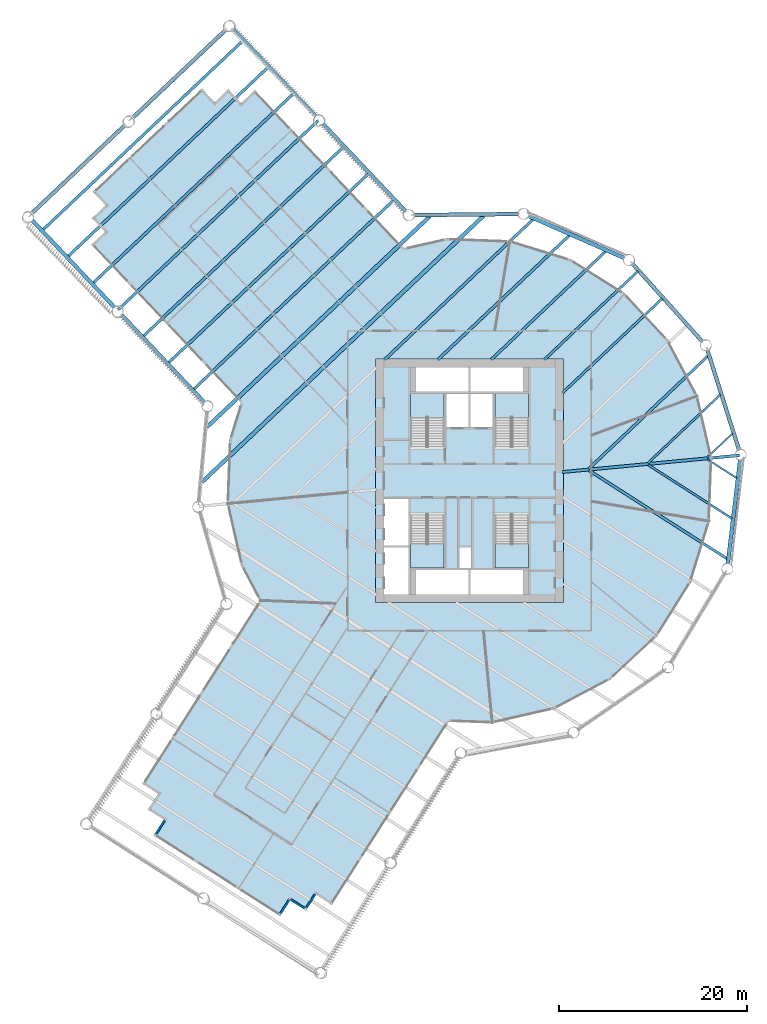
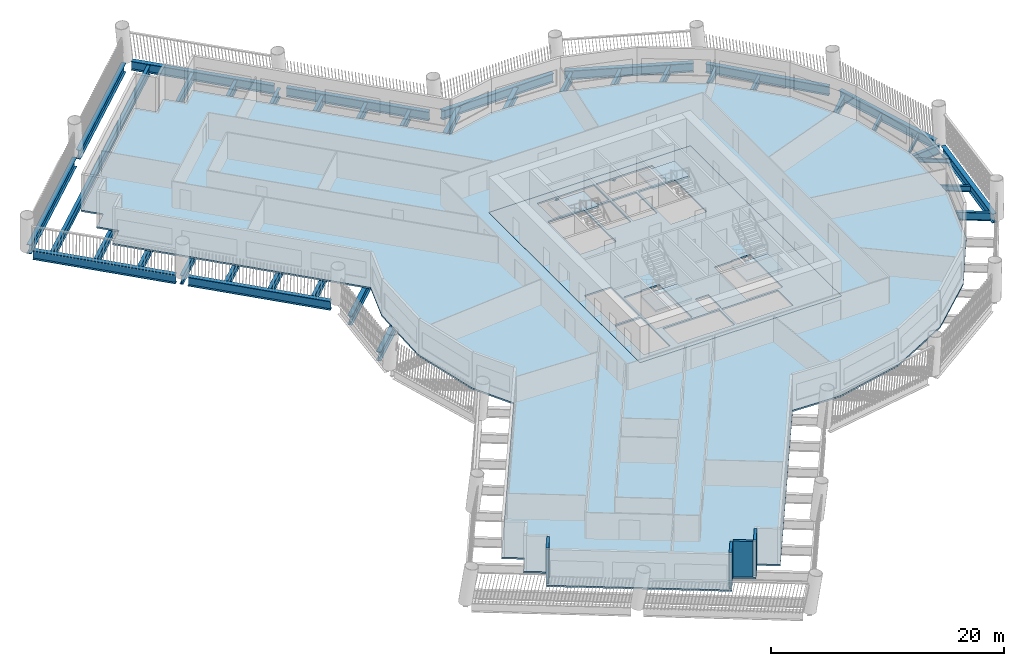
# One storey, part 2 of 15: 32 beams, 6 slabs, 4 walls, 4 elements without a shape of their own.
"""IFC4 building model written with IfcOpenShell, lengths in metres."""

from ifc_helpers import new_model, si_unit, direction, frame, frame_2d, origin, origin_2d, place, context, subcontext, project, spatial, polyline, rectangle, i_section, outline, extrude, material, layer, layer_set, material_profile, profile_set, type_object, element, aggregate, save


model = new_model("IFC4")

# Units and contexts
model_context = context("Model", 3, precision=1e-05, world=origin(), true_north=direction((0.0, 1.0)))
body_context = subcontext(model_context, "Body", "Model", "MODEL_VIEW")
ifc_project = project(units=[si_unit("LENGTHUNIT", "METRE"), si_unit("AREAUNIT", "SQUARE_METRE"), si_unit("VOLUMEUNIT", "CUBIC_METRE"), si_unit("PLANEANGLEUNIT", "RADIAN"), si_unit("MASSUNIT", "GRAM", prefix="KILO")], contexts=[model_context])

# Site, building, storey
site_placement = place(None, origin())
site = spatial("IfcSite", under=ifc_project, at=site_placement, CompositionType="ELEMENT")
building_placement = place(site_placement, origin())
building = spatial("IfcBuilding", under=site, at=building_placement, Name="Tarsis Ring Headquarters", CompositionType="ELEMENT")
storey_placement = place(building_placement, frame((0.0, 0.0, 67.300048828125)))
storey = spatial("IfcBuildingStorey", under=building, at=storey_placement, Name="L14", CompositionType="ELEMENT", Elevation=67.300048828125)

# Beams
ifc_material_1 = material(Name="Structural steel S355", Category="steel")
ifc_material_profile_1 = material_profile(ifc_material_1, i_section(OverallWidth=0.177734375, OverallDepth=0.406494140625, WebThickness=0.0078125, FlangeThickness=0.0126953125, at=origin_2d()), Name="W16x40")
ifc_profile_set_1 = profile_set([ifc_material_profile_1], Name="Structural steel S355")
beam_type_1 = type_object("IfcBeamType", Name="FB Floor beam W16x40", PredefinedType="JOIST", material=ifc_profile_set_1)
beam_1_placement = place(storey_placement, frame((25.35400390625, 2.302734375, -0.36328125), z_axis=(0.842450293429, -0.538774074266, 0.0), x_axis=(0.538774074266, 0.842450293429, 0.0)))
element("IfcBeam", 1, at=beam_1_placement, inside=storey, type_object=beam_type_1, Name="Floor beam FB1", PredefinedType="JOIST", context=body_context, shape_type="SweptSolid", body=[
    extrude(i_section(OverallWidth=0.177734375, OverallDepth=0.406494140625, WebThickness=0.0078125, FlangeThickness=0.0126953125, at=origin_2d()), origin(), (0.0, 0.0, 1.0), 3.74169921875),
])
beam_2_placement = place(storey_placement, frame((28.054931640625, 5.0595703125, -0.36328125), z_axis=(-0.726569656253, -0.687092813681, 0.0), x_axis=(0.687092813681, -0.726569656253, 0.0)))
element("IfcBeam", 2, at=beam_2_placement, inside=storey, type_object=beam_type_1, Name="Floor beam FB1", PredefinedType="JOIST", context=body_context, shape_type="SweptSolid", body=[
    extrude(i_section(OverallWidth=0.177734375, OverallDepth=0.406494140625, WebThickness=0.0078125, FlangeThickness=0.0126953125, at=origin_2d()), origin(), (0.0, 0.0, 1.0), 3.741455078125),
])
ifc_material_profile_2 = material_profile(ifc_material_1, i_section(OverallWidth=0.228271484375, OverallDepth=0.607177734375, WebThickness=0.01123046875, FlangeThickness=0.017333984375, at=origin_2d()), Name="W24x76")
ifc_profile_set_2 = profile_set([ifc_material_profile_2], Name="Structural steel S355")
beam_type_2 = type_object("IfcBeamType", Name="FB Floor beam W24x76", PredefinedType="JOIST", material=ifc_profile_set_2)
for number, where, z_axis, x_axis, name in (
    (3, (19.04736328125, 1.706787109375, -0.463623046875), (0.842455447299, -0.538766015368, 0.0), (0.538766015368, 0.842455447299, 0.0), "Floor beam FB4"),
    (4, (26.746826171875, 9.1904296875, -0.463623046875), (-0.726564864211, -0.687097881014, 0.0), (0.687097881014, -0.726564864211, 0.0), "Floor beam FB4"),
):
    element("IfcBeam", number, at=place(storey_placement, frame(where, z_axis=z_axis, x_axis=x_axis)), inside=storey, type_object=beam_type_2, Name=name, PredefinedType="JOIST", context=body_context, shape_type="SweptSolid", body=[
        extrude(i_section(OverallWidth=0.228271484375, OverallDepth=0.607177734375, WebThickness=0.01123046875, FlangeThickness=0.017333984375, at=origin_2d()), origin(), (0.0, 0.0, 1.0), 10.621337890625),
    ])
ifc_material_profile_3 = material_profile(ifc_material_1, i_section(OverallWidth=0.2666015625, OverallDepth=0.7568359375, WebThickness=0.013916015625, FlangeThickness=0.019287109375, at=origin_2d()), Name="W30x108")
ifc_profile_set_3 = profile_set([ifc_material_profile_3], Name="Structural steel S355")
beam_type_3 = type_object("IfcBeamType", Name="FB Floor beam W30x108", PredefinedType="JOIST", material=ifc_profile_set_3)
beam_3_placement = place(storey_placement, frame((20.556884765625, 19.439697265625, -0.53857421875), z_axis=(-0.726581215586, -0.687080590002, 0.0), x_axis=(0.687080590002, -0.726581215586, 0.0)))
element("IfcBeam", 5, at=beam_3_placement, inside=storey, type_object=beam_type_3, Name="Floor beam FB6", PredefinedType="JOIST", context=body_context, shape_type="SweptSolid", body=[
    extrude(i_section(OverallWidth=0.2666015625, OverallDepth=0.7568359375, WebThickness=0.013916015625, FlangeThickness=0.019287109375, at=origin_2d()), origin(), (0.0, 0.0, 1.0), 14.629638671875),
])
beam_4_placement = place(storey_placement, frame((17.950927734375, 22.3427734375, -0.53857421875), z_axis=(-0.726587927055, -0.687073492618, 0.0), x_axis=(0.687073492618, -0.726587927055, 0.0)))
element("IfcBeam", 6, at=beam_4_placement, inside=storey, type_object=beam_type_3, Name="Floor beam FB6", PredefinedType="JOIST", context=body_context, shape_type="SweptSolid", body=[
    extrude(i_section(OverallWidth=0.2666015625, OverallDepth=0.7568359375, WebThickness=0.013916015625, FlangeThickness=0.019287109375, at=origin_2d()), origin(), (0.0, 0.0, 1.0), 13.69775390625),
])
ifc_material_profile_4 = material_profile(ifc_material_1, i_section(OverallWidth=0.2919921875, OverallDepth=0.835693359375, WebThickness=0.013916015625, FlangeThickness=0.018798828125, at=origin_2d()), Name="W33x118")
ifc_profile_set_4 = profile_set([ifc_material_profile_4], Name="Structural steel S355")
beam_type_4 = type_object("IfcBeamType", Name="FB Floor beam W33x118", PredefinedType="JOIST", material=ifc_profile_set_4)
for number, where, z_axis, x_axis, name in (
    (7, (12.740966796875, 1.110595703125, -0.577880859375), (0.84244845039, -0.53877695611, 0.0), (0.53877695611, 0.84244845039, 0.0), "Floor beam FB7"),
    (8, (25.43896484375, 13.321044921875, -0.577880859375), (-0.726570803931, -0.687091600062, 0.0), (0.687091600062, -0.726570803931, 0.0), "Floor beam FB7"),
):
    element("IfcBeam", number, at=place(storey_placement, frame(where, z_axis=z_axis, x_axis=x_axis)), inside=storey, type_object=beam_type_4, Name=name, PredefinedType="JOIST", context=body_context, shape_type="SweptSolid", body=[
        extrude(i_section(OverallWidth=0.2919921875, OverallDepth=0.835693359375, WebThickness=0.013916015625, FlangeThickness=0.018798828125, at=origin_2d()), origin(), (0.0, 0.0, 1.0), 17.500732421875),
    ])
beam_5_placement = place(storey_placement, frame((14.546630859375, 24.491455078125, -0.577880859375), z_axis=(-0.726573156322, -0.687089112497, 0.0), x_axis=(0.687089112497, -0.726573156322, 0.0)))
element("IfcBeam", 9, at=beam_5_placement, inside=storey, type_object=beam_type_4, Name="Floor beam FB7", PredefinedType="JOIST", context=body_context, shape_type="SweptSolid", body=[
    extrude(i_section(OverallWidth=0.2919921875, OverallDepth=0.835693359375, WebThickness=0.013916015625, FlangeThickness=0.018798828125, at=origin_2d()), origin(), (0.0, 0.0, 1.0), 16.82470703125),
])
ifc_material_profile_5 = material_profile(ifc_material_1, i_section(OverallWidth=0.3046875, OverallDepth=0.904296875, WebThickness=0.01513671875, FlangeThickness=0.02001953125, at=origin_2d()), Name="W36x135")
ifc_profile_set_5 = profile_set([ifc_material_profile_5], Name="Structural steel S355")
beam_type_5 = type_object("IfcBeamType", Name="FB Floor beam W36x135", PredefinedType="JOIST", material=ifc_profile_set_5)
beam_6_placement = place(storey_placement, frame((10.672607421875, 26.195556640625, -0.612060546875), z_axis=(-0.726578467154, -0.687083496431, 0.0), x_axis=(0.687083496431, -0.726578467154, 0.0)))
element("IfcBeam", 10, at=beam_6_placement, inside=storey, type_object=beam_type_5, Name="Floor beam FB8", PredefinedType="JOIST", context=body_context, shape_type="SweptSolid", body=[
    extrude(i_section(OverallWidth=0.3046875, OverallDepth=0.904296875, WebThickness=0.01513671875, FlangeThickness=0.02001953125, at=origin_2d()), origin(), (0.0, 0.0, 1.0), 19.304931640625),
])
ifc_material_profile_6 = material_profile(ifc_material_1, i_section(OverallWidth=0.3046875, OverallDepth=0.91943359375, WebThickness=0.017333984375, FlangeThickness=0.02783203125, at=origin_2d()), Name="W36x170")
ifc_profile_set_6 = profile_set([ifc_material_profile_6], Name="Structural steel S355")
beam_type_6 = type_object("IfcBeamType", Name="FB Floor beam W36x170", PredefinedType="JOIST", material=ifc_profile_set_6)
beam_7_placement = place(storey_placement, frame((6.798583984375, 27.899658203125, -0.619873046875), z_axis=(-0.726577278174, -0.687084753754, 0.0), x_axis=(0.687084753754, -0.726577278174, 0.0)))
element("IfcBeam", 11, at=beam_7_placement, inside=storey, type_object=beam_type_6, Name="Floor beam FB9", PredefinedType="JOIST", context=body_context, shape_type="SweptSolid", body=[
    extrude(i_section(OverallWidth=0.3046875, OverallDepth=0.91943359375, WebThickness=0.017333984375, FlangeThickness=0.02783203125, at=origin_2d()), origin(), (0.0, 0.0, 1.0), 21.78515625),
])
ifc_material_profile_7 = material_profile(ifc_material_1, i_section(OverallWidth=0.309814453125, OverallDepth=0.949951171875, WebThickness=0.0244140625, FlangeThickness=0.0439453125, at=origin_2d()), Name="W36x256")
ifc_profile_set_7 = profile_set([ifc_material_profile_7], Name="Structural steel S355")
beam_type_7 = type_object("IfcBeamType", Name="FB Floor beam W36x256", PredefinedType="JOIST", material=ifc_profile_set_7)
for number, where, z_axis, x_axis, name in (
    (12, (-8.085693359375, 29.92724609375, -0.635009765625), (-0.72657785361, -0.687084145242, 0.0), (0.687084145242, -0.72657785361, 0.0), "Floor beam FB11"),
    (13, (-10.765380859375, 32.760986328125, -0.635009765625), (-0.726569781077, -0.687092681685, 0.0), (0.687092681685, -0.726569781077, 0.0), "Floor beam FB11"),
):
    element("IfcBeam", number, at=place(storey_placement, frame(where, z_axis=z_axis, x_axis=x_axis)), inside=storey, type_object=beam_type_7, Name=name, PredefinedType="JOIST", context=body_context, shape_type="SweptSolid", body=[
        extrude(i_section(OverallWidth=0.309814453125, OverallDepth=0.949951171875, WebThickness=0.0244140625, FlangeThickness=0.0439453125, at=origin_2d()), origin(), (0.0, 0.0, 1.0), 29.375732421875),
    ])
beam_8_placement = place(storey_placement, frame((-13.44482421875, 35.5947265625, -0.635009765625), z_axis=(-0.726573704619, -0.687088532691, 0.0), x_axis=(0.687088532691, -0.726573704619, 0.0)))
element("IfcBeam", 14, at=beam_8_placement, inside=storey, type_object=beam_type_7, Name="Floor beam FB11", PredefinedType="JOIST", context=body_context, shape_type="SweptSolid", body=[
    extrude(i_section(OverallWidth=0.309814453125, OverallDepth=0.949951171875, WebThickness=0.0244140625, FlangeThickness=0.0439453125, at=origin_2d()), origin(), (0.0, 0.0, 1.0), 29.3759765625),
])
beam_9_placement = place(storey_placement, frame((-16.12451171875, 38.42822265625, -0.635009765625), z_axis=(-0.72657785361, -0.687084145242, 0.0), x_axis=(0.687084145242, -0.72657785361, 0.0)))
element("IfcBeam", 15, at=beam_9_placement, inside=storey, type_object=beam_type_7, Name="Floor beam FB11", PredefinedType="JOIST", context=body_context, shape_type="SweptSolid", body=[
    extrude(i_section(OverallWidth=0.309814453125, OverallDepth=0.949951171875, WebThickness=0.0244140625, FlangeThickness=0.0439453125, at=origin_2d()), origin(), (0.0, 0.0, 1.0), 29.375732421875),
])
beam_10_placement = place(storey_placement, frame((-18.80419921875, 41.261962890625, -0.635009765625), z_axis=(-0.726573704619, -0.687088532691, 0.0), x_axis=(0.687088532691, -0.726573704619, 0.0)))
element("IfcBeam", 16, at=beam_10_placement, inside=storey, type_object=beam_type_7, Name="Floor beam FB11", PredefinedType="JOIST", context=body_context, shape_type="SweptSolid", body=[
    extrude(i_section(OverallWidth=0.309814453125, OverallDepth=0.949951171875, WebThickness=0.0244140625, FlangeThickness=0.0439453125, at=origin_2d()), origin(), (0.0, 0.0, 1.0), 29.3759765625),
])
for number, where, z_axis, x_axis, name in (
    (17, (-21.48388671875, 44.095458984375, -0.635009765625), (-0.72657785361, -0.687084145242, 0.0), (0.687084145242, -0.72657785361, 0.0), "Floor beam FB11"),
    (18, (-24.16357421875, 46.92919921875, -0.635009765625), (-0.726569781077, -0.687092681685, 0.0), (0.687092681685, -0.726569781077, 0.0), "Floor beam FB11"),
):
    element("IfcBeam", number, at=place(storey_placement, frame(where, z_axis=z_axis, x_axis=x_axis)), inside=storey, type_object=beam_type_7, Name=name, PredefinedType="JOIST", context=body_context, shape_type="SweptSolid", body=[
        extrude(i_section(OverallWidth=0.309814453125, OverallDepth=0.949951171875, WebThickness=0.0244140625, FlangeThickness=0.0439453125, at=origin_2d()), origin(), (0.0, 0.0, 1.0), 29.375732421875),
    ])
beam_type_8 = type_object("IfcBeamType", Name="FB Floor beam W36x256 spine", PredefinedType="BEAM", material=ifc_profile_set_7)
beam_11_placement = place(storey_placement, frame((28.80322265625, 2.72265625, -0.635009765625), z_axis=(-0.995561858417, -0.094109436646, 0.0), x_axis=(0.094109436646, -0.995561858417, 0.0)))
element("IfcBeam", 19, at=beam_11_placement, inside=storey, type_object=beam_type_8, Name="Floor beam SB11", PredefinedType="BEAM", context=body_context, shape_type="SweptSolid", body=[
    extrude(i_section(OverallWidth=0.309814453125, OverallDepth=0.949951171875, WebThickness=0.0244140625, FlangeThickness=0.0439453125, at=origin_2d()), origin(), (0.0, 0.0, 1.0), 18.987060546875),
])
ifc_material_profile_8 = material_profile(ifc_material_1, i_section(OverallWidth=0.42431640625, OverallDepth=0.947509765625, WebThickness=0.02392578125, FlangeThickness=0.042724609375, at=origin_2d()), Name="W36x302")
ifc_profile_set_8 = profile_set([ifc_material_profile_8], Name="Structural steel S355")
beam_type_9 = type_object("IfcBeamType", Name="FB Floor beam W36x302", PredefinedType="JOIST", material=ifc_profile_set_8)
beam_12_placement = place(storey_placement, frame((1.5126953125, 28.268798828125, -0.6337890625), z_axis=(-0.726573397598, -0.687088857356, 0.0), x_axis=(0.687088857356, -0.726573397598, 0.0)))
element("IfcBeam", 20, at=beam_12_placement, inside=storey, type_object=beam_type_9, Name="Floor beam FB12", PredefinedType="JOIST", context=body_context, shape_type="SweptSolid", body=[
    extrude(i_section(OverallWidth=0.42431640625, OverallDepth=0.947509765625, WebThickness=0.02392578125, FlangeThickness=0.042724609375, at=origin_2d()), origin(), (0.0, 0.0, 1.0), 41.353271484375),
])
beam_13_placement = place(storey_placement, frame((-4.226806640625, 28.208740234375, -0.6337890625), z_axis=(-0.726575980038, -0.687086126503, 0.0), x_axis=(0.687086126503, -0.726575980038, 0.0)))
element("IfcBeam", 21, at=beam_13_placement, inside=storey, type_object=beam_type_9, Name="Floor beam FB12", PredefinedType="JOIST", context=body_context, shape_type="SweptSolid", body=[
    extrude(i_section(OverallWidth=0.42431640625, OverallDepth=0.947509765625, WebThickness=0.02392578125, FlangeThickness=0.042724609375, at=origin_2d()), origin(), (0.0, 0.0, 1.0), 32.70458984375),
])
beam_type_10 = type_object("IfcBeamType", Name="XG Ring girder W36x302", PredefinedType="BEAM", material=ifc_profile_set_8)
beam_14_placement = place(storey_placement, frame((27.5400390625, -8.884765625, -0.4736328125), z_axis=(0.117915805148, 0.993023596344, 0.0), x_axis=(-0.993023596344, 0.117915805148, 0.0)))
element("IfcBeam", 22, at=beam_14_placement, inside=storey, type_object=beam_type_10, Name="Ring girder XG1", PredefinedType="BEAM", context=body_context, shape_type="SweptSolid", body=[
    extrude(i_section(OverallWidth=0.42431640625, OverallDepth=0.947509765625, WebThickness=0.02392578125, FlangeThickness=0.042724609375, at=origin_2d()), origin(), (0.0, 0.0, 1.0), 11.151611328125),
])
for number, where, z_axis, x_axis, name in (
    (23, (28.75390625, 3.2568359375, -0.4736328125), (-0.301886730196, 0.953343800594, 0.0), (-0.953343800594, -0.301886730196, 0.0), "Ring girder XG1"),
    (24, (24.855224609375, 14.8193359375, -0.4736328125), (-0.668008614545, 0.744153539865, 0.0), (-0.744153539865, -0.668008614545, 0.0), "Ring girder XG1"),
    (25, (16.537109375, 23.7470703125, -0.4736328125), (-0.915358608218, 0.40263956383, 0.0), (-0.40263956383, -0.915358608218, 0.0), "Ring girder XG1"),
):
    element("IfcBeam", number, at=place(storey_placement, frame(where, z_axis=z_axis, x_axis=x_axis)), inside=storey, type_object=beam_type_10, Name=name, PredefinedType="BEAM", context=body_context, shape_type="SweptSolid", body=[
        extrude(i_section(OverallWidth=0.42431640625, OverallDepth=0.947509765625, WebThickness=0.02392578125, FlangeThickness=0.042724609375, at=origin_2d()), origin(), (0.0, 0.0, 1.0), 11.1513671875),
    ])
beam_15_placement = place(storey_placement, frame((5.27880859375, 28.4521484375, -0.4736328125), z_axis=(-0.999945472683, -0.010442780306, 0.0), x_axis=(0.010442780306, -0.999945472683, 0.0)))
element("IfcBeam", 26, at=beam_15_placement, inside=storey, type_object=beam_type_10, Name="Ring girder XG1", PredefinedType="BEAM", context=body_context, shape_type="SweptSolid", body=[
    extrude(i_section(OverallWidth=0.42431640625, OverallDepth=0.947509765625, WebThickness=0.02392578125, FlangeThickness=0.042724609375, at=origin_2d()), origin(), (0.0, 0.0, 1.0), 11.151611328125),
])
beam_16_placement = place(storey_placement, frame((-6.7978515625, 28.728515625, -0.4736328125), z_axis=(-0.687078554472, 0.726583140449, 0.0), x_axis=(-0.726583140449, -0.687078554472, 0.0)))
element("IfcBeam", 27, at=beam_16_placement, inside=storey, type_object=beam_type_10, Name="Ring girder XG1", PredefinedType="BEAM", context=body_context, shape_type="SweptSolid", body=[
    extrude(i_section(OverallWidth=0.42431640625, OverallDepth=0.947509765625, WebThickness=0.02392578125, FlangeThickness=0.042724609375, at=origin_2d()), origin(), (0.0, 0.0, 1.0), 12.80517578125),
])
beam_17_placement = place(storey_placement, frame((-16.349853515625, 38.82958984375, -0.4736328125), z_axis=(-0.687088072627, 0.726574139681, 0.0), x_axis=(-0.726574139681, -0.687088072627, 0.0)))
element("IfcBeam", 28, at=beam_17_placement, inside=storey, type_object=beam_type_10, Name="Ring girder XG1", PredefinedType="BEAM", context=body_context, shape_type="SweptSolid", body=[
    extrude(i_section(OverallWidth=0.42431640625, OverallDepth=0.947509765625, WebThickness=0.02392578125, FlangeThickness=0.042724609375, at=origin_2d()), origin(), (0.0, 0.0, 1.0), 12.804931640625),
])
beam_18_placement = place(storey_placement, frame((-25.923583984375, 48.155029296875, -0.4736328125), z_axis=(-0.726572260311, -0.687090059996, 0.0), x_axis=(0.687090059996, -0.726572260311, 0.0)))
element("IfcBeam", 29, at=beam_18_placement, inside=storey, type_object=beam_type_10, Name="Ring girder XG1", PredefinedType="BEAM", context=body_context, shape_type="SweptSolid", body=[
    extrude(i_section(OverallWidth=0.42431640625, OverallDepth=0.947509765625, WebThickness=0.02392578125, FlangeThickness=0.042724609375, at=origin_2d()), origin(), (0.0, 0.0, 1.0), 13.702880859375),
])
beam_19_placement = place(storey_placement, frame((-36.6767578125, 37.986083984375, -0.4736328125), z_axis=(-0.726581154911, -0.687080654165, 0.0), x_axis=(0.687080654165, -0.726581154911, 0.0)))
element("IfcBeam", 30, at=beam_19_placement, inside=storey, type_object=beam_type_10, Name="Ring girder XG1", PredefinedType="BEAM", context=body_context, shape_type="SweptSolid", body=[
    extrude(i_section(OverallWidth=0.42431640625, OverallDepth=0.947509765625, WebThickness=0.02392578125, FlangeThickness=0.042724609375, at=origin_2d()), origin(), (0.0, 0.0, 1.0), 13.70263671875),
])
for number, where, z_axis, x_axis, name in (
    (31, (-46.654541015625, 27.795654296875, -0.4736328125), (0.687088072627, -0.726574139681, 0.0), (0.726574139681, 0.687088072627, 0.0), "Ring girder XG1"),
    (32, (-37.1025390625, 17.694580078125, -0.4736328125), (0.687088072627, -0.726574139681, 0.0), (0.726574139681, 0.687088072627, 0.0), "Ring girder XG1"),
):
    element("IfcBeam", number, at=place(storey_placement, frame(where, z_axis=z_axis, x_axis=x_axis)), inside=storey, type_object=beam_type_10, Name=name, PredefinedType="BEAM", context=body_context, shape_type="SweptSolid", body=[
        extrude(i_section(OverallWidth=0.42431640625, OverallDepth=0.947509765625, WebThickness=0.02392578125, FlangeThickness=0.042724609375, at=origin_2d()), origin(), (0.0, 0.0, 1.0), 12.804931640625),
    ])

# Slab
ifc_material_2 = material(Name="Concrete C40/50", Category="concrete")
ifc_layer_1 = layer(ifc_material_2, 0.159912109375)
ifc_layer_set_1 = layer_set([ifc_layer_1], Name="Core floor slab 160 C40/50")
slab_type_1 = type_object("IfcSlabType", Name="Core floor slab 160 C40/50", PredefinedType="FLOOR", material=ifc_layer_set_1)
slab_1_placement = place(storey_placement, frame((0.0, 0.0, -0.16015625)))
element("IfcSlab", 33, at=slab_1_placement, inside=storey, type_object=slab_type_1, Name="L14 core floor slab", PredefinedType="FLOOR", context=body_context, shape_type="SweptSolid", body=[
    extrude(outline(polyline([(-10.0, -13.0), (10.0, -13.0), (10.0, 13.0), (-10.0, 13.0), (-10.0, -13.0)]), holes=[polyline([(-2.5, 5.699951171875), (-0.10009765625, 5.699951171875), (-0.10009765625, 9.300048828125), (-2.5, 9.300048828125), (-2.5, 5.699951171875)]), polyline([(0.10009765625, 5.699951171875), (2.5, 5.699951171875), (2.5, 9.300048828125), (0.10009765625, 9.300048828125), (0.10009765625, 5.699951171875)]), polyline([(-9.10009765625, -12.10009765625), (-6.5, -12.10009765625), (-6.5, -7.10009765625), (-9.10009765625, -7.10009765625), (-9.10009765625, -12.10009765625)]), polyline([(-9.10009765625, -6.89990234375), (-6.5, -6.89990234375), (-6.5, -1.89990234375), (-9.10009765625, -1.89990234375), (-9.10009765625, -6.89990234375)]), polyline([(-5.699951171875, 9.5), (-0.10009765625, 9.5), (-0.10009765625, 12.10009765625), (-5.699951171875, 12.10009765625), (-5.699951171875, 9.5)]), polyline([(0.10009765625, 9.5), (5.699951171875, 9.5), (5.699951171875, 12.10009765625), (0.10009765625, 12.10009765625), (0.10009765625, 9.5)]), polyline([(-5.699951171875, -12.10009765625), (-0.10009765625, -12.10009765625), (-0.10009765625, -9.5), (-5.699951171875, -9.5), (-5.699951171875, -12.10009765625)]), polyline([(0.10009765625, -12.10009765625), (5.699951171875, -12.10009765625), (5.699951171875, -9.5), (0.10009765625, -9.5), (0.10009765625, -12.10009765625)]), polyline([(-1.10009765625, -9.300048828125), (0.199951171875, -9.300048828125), (0.199951171875, -7.10009765625), (-1.10009765625, -7.10009765625), (-1.10009765625, -9.300048828125)]), polyline([(-2.699951171875, 3.760009765625), (-2.699951171875, 9.300048828125), (-6.300048828125, 9.300048828125), (-6.300048828125, 3.659912109375), (-4.4599609375, 3.659912109375), (-4.4599609375, 3.760009765625), (-2.699951171875, 3.760009765625)]), polyline([(6.300048828125, 3.760009765625), (6.300048828125, 9.300048828125), (2.699951171875, 9.300048828125), (2.699951171875, 3.659912109375), (4.5400390625, 3.659912109375), (4.5400390625, 3.760009765625), (6.300048828125, 3.760009765625)]), polyline([(-6.300048828125, -3.760009765625), (-6.300048828125, -9.300048828125), (-2.699951171875, -9.300048828125), (-2.699951171875, -3.659912109375), (-4.5400390625, -3.659912109375), (-4.5400390625, -3.760009765625), (-6.300048828125, -3.760009765625)]), polyline([(2.699951171875, -3.760009765625), (2.699951171875, -9.300048828125), (6.300048828125, -9.300048828125), (6.300048828125, -3.659912109375), (4.4599609375, -3.659912109375), (4.4599609375, -3.760009765625), (2.699951171875, -3.760009765625)])]), origin(), (0.0, 0.0, 1.0), 0.16015625),
])

# Stair, slab
ifc_material_3 = material(Name="Core stair 1760")
stair_type = type_object("IfcStairType", Name="Core stair 1760", PredefinedType="HALF_TURN_STAIR", material=ifc_material_3)
stair_1_placement = place(storey_placement, origin())
stair_1 = element("IfcStair", 34, at=stair_1_placement, inside=storey, type_object=stair_type, Name="L14 Firefighting stair", PredefinedType="HALF_TURN_STAIR")
ifc_layer_2 = layer(ifc_material_2, 0.199951171875)
ifc_layer_set_2 = layer_set([ifc_layer_2], Name="Core stair landing 200")
slab_type_2 = type_object("IfcSlabType", Name="Core stair landing 200", PredefinedType="LANDING", material=ifc_layer_set_2)
slab_2_placement = place(storey_placement, frame((0.0, 0.0, 1.75)))
slab_2 = element("IfcSlab", 35, at=slab_2_placement, type_object=slab_type_2, Name="Stair ST1 landing 1", PredefinedType="LANDING", context=body_context, shape_type="SweptSolid", body=[
    extrude(outline(polyline([(-2.699951171875, 6.739990234375), (-2.699951171875, 9.300048828125), (-6.300048828125, 9.300048828125), (-6.300048828125, 6.739990234375), (-2.699951171875, 6.739990234375)])), origin(), (0.0, 0.0, 1.0), 0.199951171875),
])
aggregate(stair_1, [slab_2])

stair_2_placement = place(storey_placement, origin())
stair_2 = element("IfcStair", 36, at=stair_2_placement, inside=storey, type_object=stair_type, Name="L14 Exit stair B", PredefinedType="HALF_TURN_STAIR")
slab_3_placement = place(storey_placement, frame((0.0, 0.0, 1.75)))
slab_3 = element("IfcSlab", 37, at=slab_3_placement, type_object=slab_type_2, Name="Stair ST2 landing 1", PredefinedType="LANDING", context=body_context, shape_type="SweptSolid", body=[
    extrude(outline(polyline([(6.300048828125, 6.739990234375), (6.300048828125, 9.300048828125), (2.699951171875, 9.300048828125), (2.699951171875, 6.739990234375), (6.300048828125, 6.739990234375)])), origin(), (0.0, 0.0, 1.0), 0.199951171875),
])
aggregate(stair_2, [slab_3])

stair_3_placement = place(storey_placement, origin())
stair_3 = element("IfcStair", 38, at=stair_3_placement, inside=storey, type_object=stair_type, Name="L14 Exit stair C", PredefinedType="HALF_TURN_STAIR")
slab_4_placement = place(storey_placement, frame((0.0, 0.0, 1.75)))
slab_4 = element("IfcSlab", 39, at=slab_4_placement, type_object=slab_type_2, Name="Stair ST3 landing 1", PredefinedType="LANDING", context=body_context, shape_type="SweptSolid", body=[
    extrude(outline(polyline([(-6.300048828125, -6.739990234375), (-6.300048828125, -9.300048828125), (-2.699951171875, -9.300048828125), (-2.699951171875, -6.739990234375), (-6.300048828125, -6.739990234375)])), origin(), (0.0, 0.0, 1.0), 0.199951171875),
])
aggregate(stair_3, [slab_4])

stair_4_placement = place(storey_placement, origin())
stair_4 = element("IfcStair", 40, at=stair_4_placement, inside=storey, type_object=stair_type, Name="L14 Exit stair D", PredefinedType="HALF_TURN_STAIR")
slab_5_placement = place(storey_placement, frame((0.0, 0.0, 1.75)))
slab_5 = element("IfcSlab", 41, at=slab_5_placement, type_object=slab_type_2, Name="Stair ST4 landing 1", PredefinedType="LANDING", context=body_context, shape_type="SweptSolid", body=[
    extrude(outline(polyline([(2.699951171875, -6.739990234375), (2.699951171875, -9.300048828125), (6.300048828125, -9.300048828125), (6.300048828125, -6.739990234375), (2.699951171875, -6.739990234375)])), origin(), (0.0, 0.0, 1.0), 0.199951171875),
])
aggregate(stair_4, [slab_5])

# Slab
ifc_material_4 = material(Name="Concrete C35/45", Category="concrete")
ifc_layer_3 = layer(ifc_material_4, 0.159912109375)
ifc_layer_set_3 = layer_set([ifc_layer_3], Name="FS Composite floor slab 160")
slab_type_3 = type_object("IfcSlabType", Name="FS Composite floor slab 160", PredefinedType="FLOOR", material=ifc_layer_set_3)
slab_6_placement = place(storey_placement, frame((0.0, 0.0, -0.16015625)))
element("IfcSlab", 42, at=slab_6_placement, inside=storey, type_object=slab_type_3, Name="Floor slab L14", PredefinedType="FLOOR", context=body_context, shape_type="SweptSolid", body=[
    extrude(outline(polyline([(-24.40380859375, 8.34130859375), (-25.635986328125, 4.3359375), (-25.884521484375, -2.44677734375), (-24.369384765625, -9.06298828125), (-22.408447265625, -12.766357421875), (-34.892822265625, -32.28759765625), (-33.2080078125, -33.364990234375), (-34.285400390625, -35.050048828125), (-32.6005859375, -36.12744140625), (-33.67822265625, -37.8125), (-20.198974609375, -46.432861328125), (-19.121337890625, -44.747802734375), (-17.4365234375, -45.825439453125), (-16.35888671875, -44.140625), (-14.674072265625, -45.218017578125), (-2.20068359375, -25.714111328125), (2.44677734375, -25.884521484375), (9.06298828125, -24.369384765625), (15.061279296875, -21.193359375), (20.033447265625, -16.572998046875), (23.64013671875, -10.8232421875), (25.635986328125, -4.3359375), (25.884521484375, 2.44677734375), (24.369384765625, 9.06298828125), (21.193359375, 15.061279296875), (16.572998046875, 20.033447265625), (10.8232421875, 23.64013671875), (4.3359375, 25.635986328125), (-2.44677734375, 25.884521484375), (-6.980224609375, 24.846435546875), (-22.88720703125, 41.66748046875), (-24.34033203125, 40.293212890625), (-25.71435546875, 41.746337890625), (-27.167724609375, 40.372314453125), (-28.541748046875, 41.825439453125), (-40.1669921875, 30.83203125), (-38.792724609375, 29.37890625), (-40.245849609375, 28.004638671875), (-38.871826171875, 26.551513671875), (-40.324951171875, 25.177490234375), (-24.40380859375, 8.34130859375)]), holes=[polyline([(-10.0, -13.0), (-10.0, 13.0), (10.0, 13.0), (10.0, -13.0), (-10.0, -13.0)])]), origin(), (0.0, 0.0, 1.0), 0.16015625),
])

# Walls
ifc_material_5 = material(Name="Terracotta clad insulated panel wall", Category="masonry")
ifc_layer_4 = layer(ifc_material_5, 0.25)
ifc_layer_set_4 = layer_set([ifc_layer_4], Name="Facade wall terracotta panel 250")
wall_type = type_object("IfcWallType", Name="Facade wall terracotta panel 250", PredefinedType="STANDARD", material=ifc_layer_set_4)
for number, where, z_axis, x_axis, name in (
    (43, (-32.495361328125, -36.19482421875, 0.0), (0.0, 0.0, 1.0), (-0.53876072328, -0.842458831665, 0.0), "External wall L14-10"),
    (44, (-20.16943359375, -46.15478515625, 0.0), (0.0, 0.0, 1.0), (0.538661701668, 0.842522148763, 0.0), "External wall L14-12"),
):
    element("IfcWall", number, at=place(storey_placement, frame(where, z_axis=z_axis, x_axis=x_axis)), inside=storey, type_object=wall_type, Name=name, PredefinedType="STANDARD", context=body_context, shape_type="SweptSolid", body=[
        extrude(rectangle(XDim=1.75, YDim=0.25, at=frame_2d((0.875, 0.0))), origin(), (0.0, 0.0, 1.0), 3.739990234375),
    ])
for number, where, z_axis, x_axis, name in (
    (45, (-19.053955078125, -44.642578125, 0.0), (0.0, 0.0, 1.0), (0.84241833194, -0.538824047359, 0.0), "External wall L14-13"),
    (46, (-17.406982421875, -45.54736328125, 0.0), (0.0, 0.0, 1.0), (0.538725023626, 0.84248166088, 0.0), "External wall L14-14"),
):
    element("IfcWall", number, at=place(storey_placement, frame(where, z_axis=z_axis, x_axis=x_axis)), inside=storey, type_object=wall_type, Name=name, PredefinedType="STANDARD", context=body_context, shape_type="SweptSolid", body=[
        extrude(rectangle(XDim=1.749755859375, YDim=0.25, at=frame_2d((0.875, 0.0))), origin(), (0.0, 0.0, 1.0), 3.739990234375),
    ])

save(model, "model.ifc")
